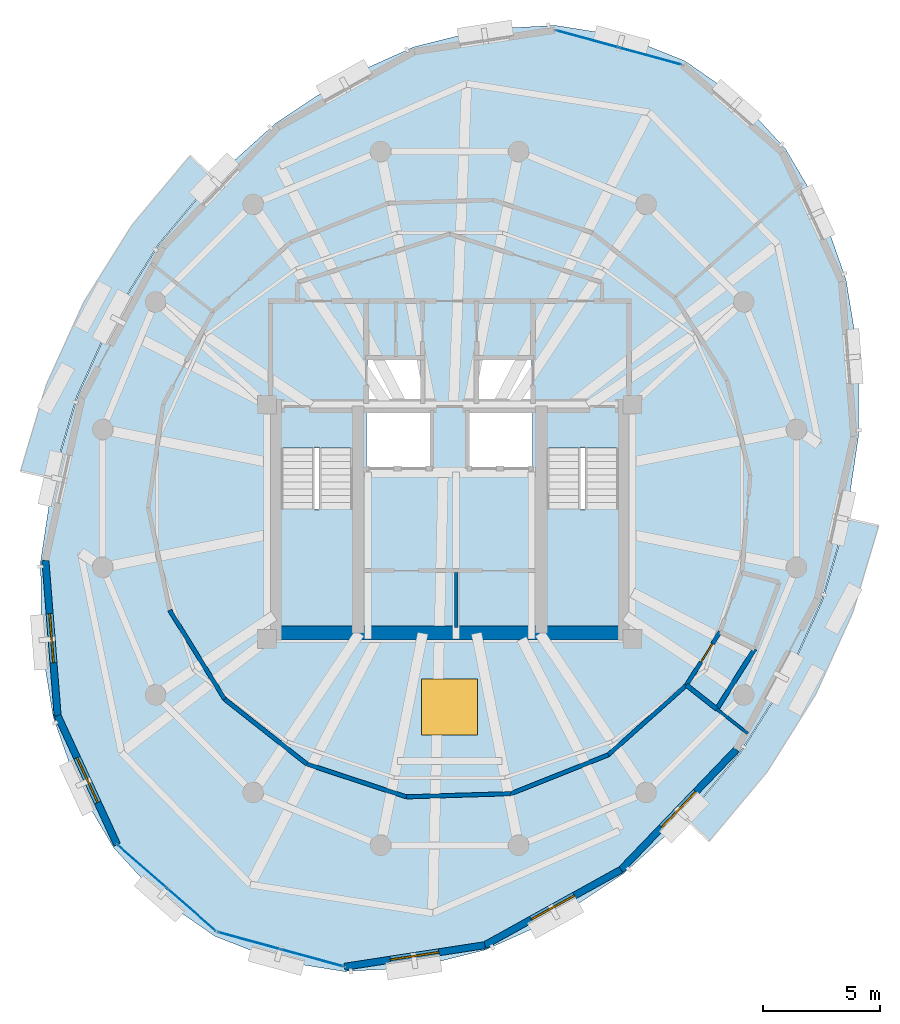
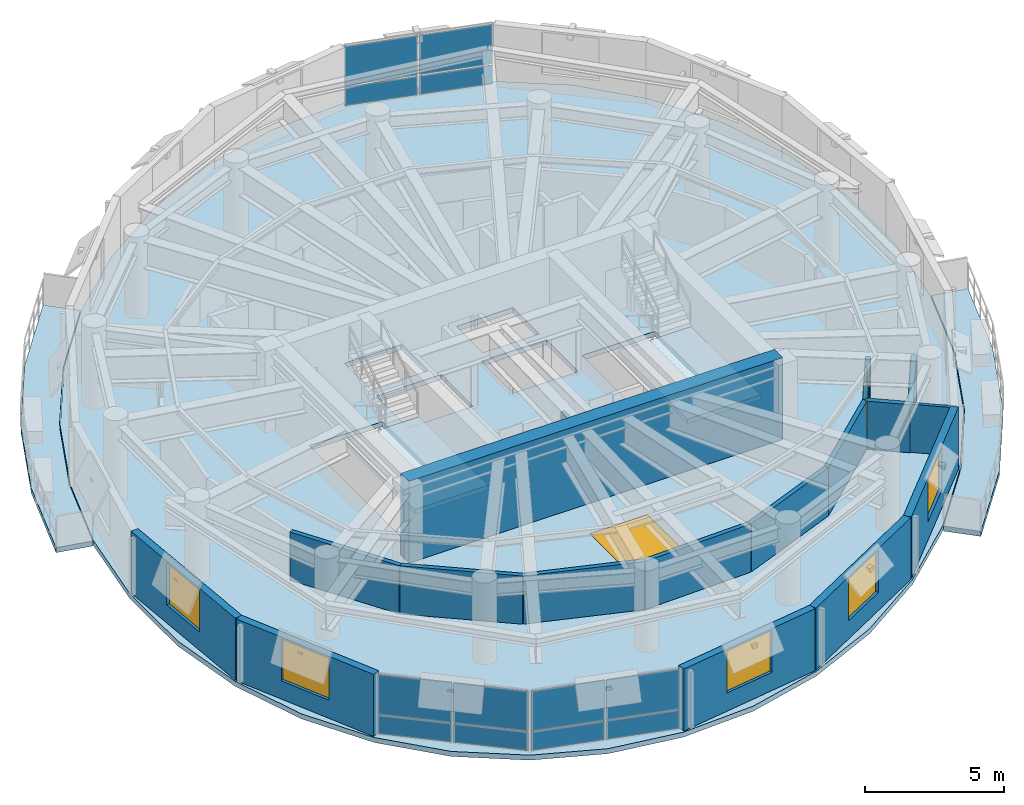
# One storey, part 6 of 11: 17 walls, 12 plates, 6 windows, 5 slabs, 1 door, 7 openings, 5 elements without a shape of their own.
"""IFC4 building model written with IfcOpenShell, lengths in metres."""

from ifc_helpers import new_model, si_unit, direction, frame, frame_2d, origin, origin_2d, place, context, subcontext, project, spatial, polyline, rectangle, outline, extrude, material, layer, layer_set, type_object, element, fill, aggregate, save


model = new_model("IFC4")

# Units and contexts
model_context = context("Model", 3, precision=1e-05, world=origin(), true_north=direction((0.0, 1.0)))
body_context = subcontext(model_context, "Body", "Model", "MODEL_VIEW")
ifc_project = project(units=[si_unit("LENGTHUNIT", "METRE"), si_unit("AREAUNIT", "SQUARE_METRE"), si_unit("VOLUMEUNIT", "CUBIC_METRE"), si_unit("PLANEANGLEUNIT", "RADIAN"), si_unit("MASSUNIT", "GRAM", prefix="KILO"), si_unit("THERMODYNAMICTEMPERATUREUNIT", "KELVIN"), si_unit("POWERUNIT", "WATT")], contexts=[model_context])

# Site, building, storey
site_placement = place(None, origin())
site = spatial("IfcSite", under=ifc_project, at=site_placement, CompositionType="ELEMENT")
building_placement = place(site_placement, origin())
building = spatial("IfcBuilding", under=site, at=building_placement, Name="Ocrelia Relay Tower", CompositionType="ELEMENT")
storey_placement = place(building_placement, frame((0.0, 0.0, 284.39990234375)))
storey = spatial("IfcBuildingStorey", under=building, at=storey_placement, Name="L71", CompositionType="ELEMENT", Elevation=284.39990234375)

# Curtain wall, plates
ifc_material_1 = material(Name="Aluminium and solar-control low-E glass", Category="aluminium")
ifc_layer_1 = layer(ifc_material_1, 0.179931640625, Name="Aluminium and solar-control low-E glass")
ifc_layer_set_1 = layer_set([ifc_layer_1], Name="Aluminium and solar-control low-E glass")
curtain_wall_type = type_object("IfcCurtainWallType", Name="CW-SYS-Z4-EXEC", PredefinedType="NOTDEFINED", material=ifc_layer_set_1)
curtain_wall_1_placement = place(storey_placement, origin())
curtain_wall_1 = element("IfcCurtainWall", 1, at=curtain_wall_1_placement, inside=storey, type_object=curtain_wall_type, Name="L71 Elliptical Tower Curtain Wall Bay 01", PredefinedType="NOTDEFINED")
ifc_material_2 = material(Name="Clear double-glazed low-E glass", Category="glass")
ifc_layer_2 = layer(ifc_material_2, 0.031982421875, Name="Clear double-glazed low-E glass")
ifc_layer_set_2 = layer_set([ifc_layer_2], Name="Clear double-glazed low-E glass")
plate_type = type_object("IfcPlateType", Name="CW-SYS-Z4-EXEC-PNL", PredefinedType="CURTAIN_PANEL", material=ifc_layer_set_2)
plate_1_placement = place(storey_placement, frame((42.5615234375, 44.875732421875, 0.06005859375), z_axis=(0.0, 0.0, 1.0), x_axis=(-0.96456996895, 0.263827168806, 0.0)))
plate_1 = element("IfcPlate", 2, at=plate_1_placement, type_object=plate_type, Name="CW-Z4 panel 1.1", PredefinedType="CURTAIN_PANEL", context=body_context, shape_type="SweptSolid", body=[
    extrude(rectangle(XDim=2.7275390625, YDim=0.031982421875, at=origin_2d()), origin(), (0.0, 0.0, 1.0), 0.81005859375),
])
plate_2_placement = place(storey_placement, frame((42.5615234375, 44.875732421875, 0.93017578125), z_axis=(0.0, 0.0, 1.0), x_axis=(-0.96456996895, 0.263827168806, 0.0)))
plate_2 = element("IfcPlate", 3, at=plate_2_placement, type_object=plate_type, Name="CW-Z4 panel 1.2", PredefinedType="CURTAIN_PANEL", context=body_context, shape_type="SweptSolid", body=[
    extrude(rectangle(XDim=2.7275390625, YDim=0.031982421875, at=origin_2d()), origin(), (0.0, 0.0, 1.0), 1.739990234375),
])
plate_3_placement = place(storey_placement, frame((39.867919921875, 45.612548828125, 0.06005859375), z_axis=(0.0, 0.0, 1.0), x_axis=(-0.96456996895, 0.263827168806, 0.0)))
plate_3 = element("IfcPlate", 4, at=plate_3_placement, type_object=plate_type, Name="CW-Z4 panel 2.1", PredefinedType="CURTAIN_PANEL", context=body_context, shape_type="SweptSolid", body=[
    extrude(rectangle(XDim=2.7275390625, YDim=0.031982421875, at=origin_2d()), origin(), (0.0, 0.0, 1.0), 0.81005859375),
])
plate_4_placement = place(storey_placement, frame((39.867919921875, 45.612548828125, 0.93017578125), z_axis=(0.0, 0.0, 1.0), x_axis=(-0.96456996895, 0.263827168806, 0.0)))
plate_4 = element("IfcPlate", 5, at=plate_4_placement, type_object=plate_type, Name="CW-Z4 panel 2.2", PredefinedType="CURTAIN_PANEL", context=body_context, shape_type="SweptSolid", body=[
    extrude(rectangle(XDim=2.7275390625, YDim=0.031982421875, at=origin_2d()), origin(), (0.0, 0.0, 1.0), 1.739990234375),
])
aggregate(curtain_wall_1, [plate_1, plate_2, plate_3, plate_4])

curtain_wall_2_placement = place(storey_placement, origin())
curtain_wall_2 = element("IfcCurtainWall", 6, at=curtain_wall_2_placement, inside=storey, type_object=curtain_wall_type, Name="L71 Elliptical Tower Curtain Wall Bay 09", PredefinedType="NOTDEFINED")
plate_5_placement = place(storey_placement, frame((20.884033203125, 10.281982421875, 0.06005859375), z_axis=(0.0, 0.0, 1.0), x_axis=(0.752392477075, -0.658715082901, 0.0)))
plate_5 = element("IfcPlate", 7, at=plate_5_placement, type_object=plate_type, Name="CW-Z4 panel 1.1", PredefinedType="CURTAIN_PANEL", context=body_context, shape_type="SweptSolid", body=[
    extrude(rectangle(XDim=2.7275390625, YDim=0.031982421875, at=origin_2d()), origin(), (0.0, 0.0, 1.0), 0.81005859375),
])
plate_6_placement = place(storey_placement, frame((20.884033203125, 10.281982421875, 0.93017578125), z_axis=(0.0, 0.0, 1.0), x_axis=(0.752392477075, -0.658715082901, 0.0)))
plate_6 = element("IfcPlate", 8, at=plate_6_placement, type_object=plate_type, Name="CW-Z4 panel 1.2", PredefinedType="CURTAIN_PANEL", context=body_context, shape_type="SweptSolid", body=[
    extrude(rectangle(XDim=2.7275390625, YDim=0.031982421875, at=origin_2d()), origin(), (0.0, 0.0, 1.0), 1.739990234375),
])
plate_7_placement = place(storey_placement, frame((22.9853515625, 8.4423828125, 0.06005859375), z_axis=(0.0, 0.0, 1.0), x_axis=(0.752392477075, -0.658715082901, 0.0)))
plate_7 = element("IfcPlate", 9, at=plate_7_placement, type_object=plate_type, Name="CW-Z4 panel 2.1", PredefinedType="CURTAIN_PANEL", context=body_context, shape_type="SweptSolid", body=[
    extrude(rectangle(XDim=2.7275390625, YDim=0.031982421875, at=origin_2d()), origin(), (0.0, 0.0, 1.0), 0.81005859375),
])
plate_8_placement = place(storey_placement, frame((22.9853515625, 8.4423828125, 0.93017578125), z_axis=(0.0, 0.0, 1.0), x_axis=(0.752392477075, -0.658715082901, 0.0)))
plate_8 = element("IfcPlate", 10, at=plate_8_placement, type_object=plate_type, Name="CW-Z4 panel 2.2", PredefinedType="CURTAIN_PANEL", context=body_context, shape_type="SweptSolid", body=[
    extrude(rectangle(XDim=2.7275390625, YDim=0.031982421875, at=origin_2d()), origin(), (0.0, 0.0, 1.0), 1.739990234375),
])
aggregate(curtain_wall_2, [plate_5, plate_6, plate_7, plate_8])

curtain_wall_3_placement = place(storey_placement, origin())
curtain_wall_3 = element("IfcCurtainWall", 11, at=curtain_wall_3_placement, inside=storey, type_object=curtain_wall_type, Name="L71 Elliptical Tower Curtain Wall Bay 10", PredefinedType="NOTDEFINED")
plate_9_placement = place(storey_placement, frame((25.4384765625, 7.124267578125, 0.06005859375), z_axis=(0.0, 0.0, 1.0), x_axis=(0.96456996895, -0.263827168806, 0.0)))
plate_9 = element("IfcPlate", 12, at=plate_9_placement, type_object=plate_type, Name="CW-Z4 panel 1.1", PredefinedType="CURTAIN_PANEL", context=body_context, shape_type="SweptSolid", body=[
    extrude(rectangle(XDim=2.7275390625, YDim=0.031982421875, at=origin_2d()), origin(), (0.0, 0.0, 1.0), 0.81005859375),
])
plate_10_placement = place(storey_placement, frame((25.4384765625, 7.124267578125, 0.93017578125), z_axis=(0.0, 0.0, 1.0), x_axis=(0.96456996895, -0.263827168806, 0.0)))
plate_10 = element("IfcPlate", 13, at=plate_10_placement, type_object=plate_type, Name="CW-Z4 panel 1.2", PredefinedType="CURTAIN_PANEL", context=body_context, shape_type="SweptSolid", body=[
    extrude(rectangle(XDim=2.7275390625, YDim=0.031982421875, at=origin_2d()), origin(), (0.0, 0.0, 1.0), 1.739990234375),
])
plate_11_placement = place(storey_placement, frame((28.132080078125, 6.387451171875, 0.06005859375), z_axis=(0.0, 0.0, 1.0), x_axis=(0.96456996895, -0.263827168806, 0.0)))
plate_11 = element("IfcPlate", 14, at=plate_11_placement, type_object=plate_type, Name="CW-Z4 panel 2.1", PredefinedType="CURTAIN_PANEL", context=body_context, shape_type="SweptSolid", body=[
    extrude(rectangle(XDim=2.7275390625, YDim=0.031982421875, at=origin_2d()), origin(), (0.0, 0.0, 1.0), 0.81005859375),
])
plate_12_placement = place(storey_placement, frame((28.132080078125, 6.387451171875, 0.93017578125), z_axis=(0.0, 0.0, 1.0), x_axis=(0.96456996895, -0.263827168806, 0.0)))
plate_12 = element("IfcPlate", 15, at=plate_12_placement, type_object=plate_type, Name="CW-Z4 panel 2.2", PredefinedType="CURTAIN_PANEL", context=body_context, shape_type="SweptSolid", body=[
    extrude(rectangle(XDim=2.7275390625, YDim=0.031982421875, at=origin_2d()), origin(), (0.0, 0.0, 1.0), 1.739990234375),
])
aggregate(curtain_wall_3, [plate_9, plate_10, plate_11, plate_12])

# Slabs
ifc_material_3 = material(Name="Precast concrete C40/50", Category="concrete")
ifc_layer_3 = layer(ifc_material_3, 0.219970703125, Name="Precast concrete C40/50")
ifc_layer_set_3 = layer_set([ifc_layer_3], Name="Precast concrete C40/50")
slab_type_1 = type_object("IfcSlabType", Name="SL-BALC-220", PredefinedType="FLOOR", material=ifc_layer_set_3)
slab_1_placement = place(storey_placement, frame((0.0, 0.0, -0.219970703125)))
element("IfcSlab", 16, at=slab_1_placement, inside=storey, type_object=slab_type_1, Name="L71 Planted Loggia Balcony B1", PredefinedType="FLOOR", context=body_context, shape_type="SweptSolid", body=[
    extrude(outline(polyline([(23.917724609375, 39.657958984375), (22.747802734375, 38.25830078125), (21.577880859375, 36.8583984375), (19.614990234375, 33.729248046875), (18.089111328125, 30.365478515625), (17.5673828125, 28.6171875), (17.0458984375, 26.869140625), (15.68603515625, 27.17236328125), (16.235107421875, 29.012939453125), (16.7841796875, 30.853515625), (18.3876953125, 34.388671875), (20.45068359375, 37.67724609375), (21.682373046875, 39.15087890625), (22.914306640625, 40.624755859375), (23.917724609375, 39.657958984375)])), origin(), (0.0, 0.0, 1.0), 0.219970703125),
])
slab_2_placement = place(storey_placement, frame((0.0, 0.0, -0.219970703125)))
element("IfcSlab", 17, at=slab_2_placement, inside=storey, type_object=slab_type_1, Name="L71 Planted Loggia Balcony B2", PredefinedType="FLOOR", context=body_context, shape_type="SweptSolid", body=[
    extrude(outline(polyline([(44.082275390625, 12.342041015625), (45.252197265625, 13.74169921875), (46.422119140625, 15.1416015625), (48.385009765625, 18.270751953125), (49.910888671875, 21.634521484375), (50.4326171875, 23.3828125), (50.9541015625, 25.130859375), (52.31396484375, 24.82763671875), (51.764892578125, 22.987060546875), (51.2158203125, 21.146484375), (49.6123046875, 17.611328125), (47.54931640625, 14.32275390625), (46.317626953125, 12.84912109375), (45.085693359375, 11.375244140625), (44.082275390625, 12.342041015625)])), origin(), (0.0, 0.0, 1.0), 0.219970703125),
])

# Slab, opening, window
ifc_material_4 = material(Name="Concrete C50/60", Category="concrete")
ifc_layer_4 = layer(ifc_material_4, 0.219970703125, Name="Concrete C50/60")
ifc_layer_set_4 = layer_set([ifc_layer_4], Name="Concrete C50/60")
slab_type_2 = type_object("IfcSlabType", Name="SL-FLR-220", PredefinedType="FLOOR", material=ifc_layer_set_4)
slab_3_placement = place(storey_placement, frame((0.0, 0.0, -0.219970703125)))
slab_3 = element("IfcSlab", 18, at=slab_3_placement, inside=storey, type_object=slab_type_2, Name="L71 Elliptical Tower Floor Slab", PredefinedType="FLOOR", context=body_context, shape_type="SweptSolid", body=[
    extrude(outline(polyline([(44.034423828125, 44.6748046875), (41.388671875, 45.73095703125), (38.518310546875, 46.1875), (35.5107421875, 46.030517578125), (32.457275390625, 45.264892578125), (29.45068359375, 43.9140625), (26.582275390625, 42.018798828125), (23.939453125, 39.636962890625), (21.60205078125, 36.8408203125), (19.6416015625, 33.715087890625), (18.1171875, 30.35498046875), (17.075439453125, 26.862548828125), (16.548095703125, 23.343994140625), (16.55078125, 19.906005859375), (17.083740234375, 16.6533203125), (18.130615234375, 13.6845703125), (19.659912109375, 11.090087890625), (21.624755859375, 8.948486328125), (23.965576171875, 7.3251953125), (26.611328125, 6.26904296875), (29.481689453125, 5.8125), (32.4892578125, 5.969482421875), (35.542724609375, 6.735107421875), (38.54931640625, 8.0859375), (41.417724609375, 9.981201171875), (44.060546875, 12.363037109375), (46.39794921875, 15.1591796875), (48.3583984375, 18.284912109375), (49.8828125, 21.64501953125), (50.924560546875, 25.137451171875), (51.451904296875, 28.656005859375), (51.44921875, 32.093994140625), (50.916259765625, 35.3466796875), (49.869384765625, 38.3154296875), (48.340087890625, 40.909912109375), (46.375244140625, 43.051513671875), (44.034423828125, 44.6748046875)]), holes=[polyline([(26.81005859375, 28.14990234375), (26.81005859375, 20.550048828125), (29.85009765625, 20.550048828125), (29.85009765625, 28.14990234375), (26.81005859375, 28.14990234375)]), polyline([(38.159912109375, 28.14990234375), (38.159912109375, 20.550048828125), (41.199951171875, 20.550048828125), (41.199951171875, 28.14990234375), (38.159912109375, 28.14990234375)]), polyline([(30.4599609375, 27.35009765625), (33.159912109375, 27.35009765625), (33.159912109375, 29.64990234375), (30.4599609375, 29.64990234375), (30.4599609375, 27.35009765625)]), polyline([(34.840087890625, 27.35009765625), (37.5400390625, 27.35009765625), (37.5400390625, 29.64990234375), (34.840087890625, 29.64990234375), (34.840087890625, 27.35009765625)]), polyline([(30.5, 30.10009765625), (32.85009765625, 30.10009765625), (32.85009765625, 32.0), (30.5, 32.0), (30.5, 30.10009765625)]), polyline([(35.14990234375, 30.10009765625), (37.5, 30.10009765625), (37.5, 32.0), (35.14990234375, 32.0), (35.14990234375, 30.10009765625)]), polyline([(32.800048828125, 15.89990234375), (35.199951171875, 15.89990234375), (35.199951171875, 18.300048828125), (32.800048828125, 18.300048828125), (32.800048828125, 15.89990234375)])]), origin(), (0.0, 0.0, 1.0), 0.219970703125),
])
opening_1_placement = place(slab_3_placement, frame((34.0, 17.10009765625, 0.0)))
opening_1 = element("IfcOpeningElement", 19, at=opening_1_placement, cuts=slab_3, Name="Opening WSK-01", PredefinedType="OPENING", context=body_context, shape_type="SweptSolid", body=[
    extrude(rectangle(XDim=2.39990234375, YDim=2.39990234375, at=origin_2d()), frame((0.0, 0.0, -0.010009765625)), (0.0, 0.0, 1.0), 0.239990234375),
])
window_type_1 = type_object("IfcWindowType", Name="WIN-SKY-2400x2400", PartitioningType="SINGLE_PANEL", PredefinedType="SKYLIGHT", material=ifc_material_2)
window_1_placement = place(opening_1_placement, frame((0.0, 0.0, 0.169921875)))
window_1 = element("IfcWindow", 20, at=window_1_placement, inside=storey, type_object=window_type_1, Name="L71 Multi-Zone Interior Atrium Skylight", OverallHeight=2.39990234375, OverallWidth=2.39990234375, PartitioningType="SINGLE_PANEL", PredefinedType="SKYLIGHT", context=body_context, shape_type="SweptSolid", body=[
    extrude(rectangle(XDim=2.39990234375, YDim=2.39990234375, at=origin_2d()), origin(), (0.0, 0.0, 1.0), 0.050048828125),
])
fill(opening_1, window_1)

# Stair, slab
stair_type = type_object("IfcStairType", Name="ST-DL-1420-R180", PredefinedType="HALF_TURN_STAIR", material=ifc_material_4)
stair_1_placement = place(storey_placement, origin())
stair_1 = element("IfcStair", 21, at=stair_1_placement, inside=storey, type_object=stair_type, Name="L71 West Core Exit Stair ST1", PredefinedType="HALF_TURN_STAIR")
ifc_layer_5 = layer(ifc_material_4, 0.199951171875, Name="Concrete C50/60")
ifc_layer_set_5 = layer_set([ifc_layer_5], Name="Concrete C50/60")
slab_type_3 = type_object("IfcSlabType", Name="SL-LANDING-200", PredefinedType="LANDING", material=ifc_layer_set_5)
slab_4_placement = place(storey_placement, frame((0.0, 0.0, 1.60009765625)))
slab_4 = element("IfcSlab", 22, at=slab_4_placement, type_object=slab_type_3, Name="ST1 landing 1", PredefinedType="LANDING", context=body_context, shape_type="SweptSolid", body=[
    extrude(outline(polyline([(26.81005859375, 25.5400390625), (26.81005859375, 20.550048828125), (29.85009765625, 20.550048828125), (29.85009765625, 25.5400390625), (26.81005859375, 25.5400390625)])), origin(), (0.0, 0.0, 1.0), 0.199951171875),
])
aggregate(stair_1, [slab_4])

stair_2_placement = place(storey_placement, origin())
stair_2 = element("IfcStair", 23, at=stair_2_placement, inside=storey, type_object=stair_type, Name="L71 East Core Exit Stair ST2", PredefinedType="HALF_TURN_STAIR")
slab_5_placement = place(storey_placement, frame((0.0, 0.0, 1.60009765625)))
slab_5 = element("IfcSlab", 24, at=slab_5_placement, type_object=slab_type_3, Name="ST2 landing 1", PredefinedType="LANDING", context=body_context, shape_type="SweptSolid", body=[
    extrude(outline(polyline([(38.159912109375, 25.5400390625), (38.159912109375, 20.550048828125), (41.199951171875, 20.550048828125), (41.199951171875, 25.5400390625), (38.159912109375, 25.5400390625)])), origin(), (0.0, 0.0, 1.0), 0.199951171875),
])
aggregate(stair_2, [slab_5])

# Wall
ifc_layer_6 = layer(ifc_material_4, 0.60009765625, Name="Concrete C50/60")
ifc_layer_set_6 = layer_set([ifc_layer_6], Name="Concrete C50/60")
wall_type_1 = type_object("IfcWallType", Name="CW-CORE-600B", PredefinedType="SHEAR", material=ifc_layer_set_6)
wall_1_placement = place(storey_placement, frame((26.221923828125, 20.261962890625, 0.0), z_axis=(0.0, 0.0, 1.0), x_axis=(1.0, 0.0, 0.0)))
element("IfcWall", 25, at=wall_1_placement, inside=storey, type_object=wall_type_1, Name="L71 Core Shear Wall S", PredefinedType="SHEAR", context=body_context, shape_type="SweptSolid", body=[
    extrude(rectangle(XDim=15.566162109375, YDim=0.60009765625, at=frame_2d((7.783203125, 0.0))), origin(), (0.0, 0.0, 1.0), 3.60009765625),
])

# Wall, opening, door
ifc_material_5 = material(Name="Gypsum Fireboard Partition EI60", Category="gypsum")
ifc_layer_7 = layer(ifc_material_5, 0.179931640625, Name="Gypsum Fireboard Partition EI60")
ifc_layer_set_7 = layer_set([ifc_layer_7], Name="Gypsum Fireboard Partition EI60")
wall_type_2 = type_object("IfcWallType", Name="W-CORR-EI60-180", PredefinedType="PARTITIONING", material=ifc_layer_set_7)
wall_2_placement = place(storey_placement, frame((44.10693359375, 18.0322265625, 0.0), z_axis=(0.0, 0.0, 1.0), x_axis=(0.533648130979, 0.845706611244, 0.0)))
wall_2 = element("IfcWall", 26, at=wall_2_placement, inside=storey, type_object=wall_type_2, Name="L71 Staff Toilet Corridor Wall", PredefinedType="PARTITIONING", context=body_context, shape_type="SweptSolid", body=[
    extrude(rectangle(XDim=2.6904296875, YDim=0.179931640625, at=frame_2d((1.34521484375, 0.0))), origin(), (0.0, 0.0, 1.0), 2.1201171875),
])
opening_2_placement = place(wall_2_placement, frame((1.16748046875, 0.0, 0.0)))
opening_2 = element("IfcOpeningElement", 27, at=opening_2_placement, cuts=wall_2, Name="Opening D-WC92", PredefinedType="OPENING", context=body_context, shape_type="SweptSolid", body=[
    extrude(rectangle(XDim=0.919921875, YDim=2.10009765625, at=frame_2d((0.4599609375, 1.050048828125))), frame((0.0, 0.10009765625, 0.0), z_axis=(0.0, -1.0, 0.0), x_axis=(1.0, 0.0, 0.0)), (0.0, 0.0, 1.0), 0.199951171875),
])
ifc_material_6 = material(Name="Laminate washroom door", Category="wood")
door_type = type_object("IfcDoorType", Name="DR-WC-920", OperationType="NOTDEFINED", PredefinedType="DOOR", material=ifc_material_6)
door_placement = place(opening_2_placement, origin())
door = element("IfcDoor", 28, at=door_placement, inside=storey, type_object=door_type, Name="L71 Staff Toilet Door", OperationType="SINGLE_SWING_RIGHT", OverallHeight=2.10009765625, OverallWidth=0.919921875, PredefinedType="DOOR", context=body_context, shape_type="SweptSolid", body=[
    extrude(rectangle(XDim=0.919921875, YDim=2.10009765625, at=frame_2d((0.4599609375, 1.050048828125))), frame((0.0, 0.02490234375, 0.0), z_axis=(0.0, -1.0, 0.0), x_axis=(1.0, 0.0, 0.0)), (0.0, 0.0, 1.0), 0.050048828125),
])
fill(opening_2, door)

# Walls
wall_3_placement = place(storey_placement, frame((22.046142578125, 21.23095703125, 0.0), z_axis=(0.0, 0.0, 1.0), x_axis=(0.526222979586, -0.850346620947, 0.0)))
element("IfcWall", 29, at=wall_3_placement, inside=storey, type_object=wall_type_2, Name="L71 Summit Plenary Hall Corridor Partition 4", PredefinedType="PARTITIONING", context=body_context, shape_type="SweptSolid", body=[
    extrude(rectangle(XDim=4.4697265625, YDim=0.179931640625, at=frame_2d((2.23486328125, 0.0))), origin(), (0.0, 0.0, 1.0), 2.1201171875),
])
wall_4_placement = place(storey_placement, frame((24.398193359375, 17.43017578125, 0.0), z_axis=(0.0, 0.0, 1.0), x_axis=(0.785308997731, -0.61910401233, 0.0)))
element("IfcWall", 30, at=wall_4_placement, inside=storey, type_object=wall_type_2, Name="L71 Summit Plenary Hall Corridor Partition 5", PredefinedType="PARTITIONING", context=body_context, shape_type="SweptSolid", body=[
    extrude(rectangle(XDim=4.469970703125, YDim=0.179931640625, at=frame_2d((2.23486328125, 0.0))), origin(), (0.0, 0.0, 1.0), 2.1201171875),
])
for number, where, z_axis, x_axis, name in (
    (31, (27.908447265625, 14.662841796875, 0.0), (0.0, 0.0, 1.0), (0.94970518159, -0.313145442345, 0.0), "L71 Summit Plenary Hall Corridor Partition 6"),
    (32, (32.1533203125, 13.26318359375, 0.0), (0.0, 0.0, 1.0), (0.999533732573, 0.030533873791, 0.0), "L71 Summit Plenary Hall Corridor Partition 7"),
    (33, (36.620849609375, 13.399658203125, 0.0), (0.0, 0.0, 1.0), (0.928815325545, 0.370542967862, 0.0), "L71 Summit Plenary Hall Corridor Partition 8"),
):
    element("IfcWall", number, at=place(storey_placement, frame(where, z_axis=z_axis, x_axis=x_axis)), inside=storey, type_object=wall_type_2, Name=name, PredefinedType="PARTITIONING", context=body_context, shape_type="SweptSolid", body=[
        extrude(rectangle(XDim=4.4697265625, YDim=0.179931640625, at=frame_2d((2.23486328125, 0.0))), origin(), (0.0, 0.0, 1.0), 2.1201171875),
    ])
wall_5_placement = place(storey_placement, frame((40.7724609375, 15.055908203125, 0.0), z_axis=(0.0, 0.0, 1.0), x_axis=(0.74603650921, 0.665905043475, 0.0)))
element("IfcWall", 34, at=wall_5_placement, inside=storey, type_object=wall_type_2, Name="L71 Summit Plenary Hall Corridor Partition 9", PredefinedType="PARTITIONING", context=body_context, shape_type="SweptSolid", body=[
    extrude(rectangle(XDim=4.469482421875, YDim=0.179931640625, at=frame_2d((2.23486328125, 0.0))), origin(), (0.0, 0.0, 1.0), 2.1201171875),
])

# Wall, opening, window
ifc_material_7 = material(Name="Precast concrete C40/50 with oxide terracotta", Category="masonry")
ifc_layer_8 = layer(ifc_material_7, 0.300048828125, Name="Precast concrete C40/50 with oxide terracotta")
ifc_layer_set_8 = layer_set([ifc_layer_8], Name="Precast concrete C40/50 with oxide terracotta")
wall_type_3 = type_object("IfcWallType", Name="W-EXT-TERR-300", PredefinedType="SOLIDWALL", material=ifc_layer_set_8)
wall_6_placement = place(storey_placement, frame((16.747802734375, 23.35009765625, 0.0), z_axis=(0.0, 0.0, 1.0), x_axis=(0.07853716748, -0.996911186277, 0.0)))
wall_6 = element("IfcWall", 35, at=wall_6_placement, inside=storey, type_object=wall_type_3, Name="L71 Oxide Terracotta Facade Wall 07", PredefinedType="SOLIDWALL", context=body_context, shape_type="SweptSolid", body=[
    extrude(rectangle(XDim=6.64306640625, YDim=0.300048828125, at=frame_2d((3.321533203125, 0.0))), origin(), (0.0, 0.0, 1.0), 2.72998046875),
])
opening_3_placement = place(wall_6_placement, frame((2.27197265625, 0.0, 0.800048828125)))
opening_3 = element("IfcOpeningElement", 36, at=opening_3_placement, cuts=wall_6, Name="Opening W-07", PredefinedType="OPENING", context=body_context, shape_type="SweptSolid", body=[
    extrude(rectangle(XDim=2.10009765625, YDim=1.85009765625, at=frame_2d((1.050048828125, 0.925048828125))), frame((0.0, 0.16015625, 0.0), z_axis=(0.0, -1.0, 0.0), x_axis=(1.0, 0.0, 0.0)), (0.0, 0.0, 1.0), 0.320068359375),
])
window_type_2 = type_object("IfcWindowType", Name="WIN-Z4-2100x2200", PartitioningType="DOUBLE_PANEL_VERTICAL", PredefinedType="WINDOW", material=ifc_material_2)
window_2_placement = place(opening_3_placement, origin())
window_2 = element("IfcWindow", 37, at=window_2_placement, inside=storey, type_object=window_type_2, Name="L71 Facade Module Window 07", OverallHeight=1.85009765625, OverallWidth=2.10009765625, PartitioningType="SINGLE_PANEL", PredefinedType="WINDOW", context=body_context, shape_type="SweptSolid", body=[
    extrude(rectangle(XDim=2.10009765625, YDim=1.85009765625, at=frame_2d((1.050048828125, 0.925048828125))), frame((0.0, 0.030029296875, 0.0), z_axis=(0.0, -1.0, 0.0), x_axis=(1.0, 0.0, 0.0)), (0.0, 0.0, 1.0), 0.06005859375),
])
fill(opening_3, window_2)

wall_7_placement = place(storey_placement, frame((17.26953125, 16.7275390625, 0.0), z_axis=(0.0, 0.0, 1.0), x_axis=(0.418930475169, -0.908018313128, 0.0)))
wall_7 = element("IfcWall", 38, at=wall_7_placement, inside=storey, type_object=wall_type_3, Name="L71 Oxide Terracotta Facade Wall 08", PredefinedType="SOLIDWALL", context=body_context, shape_type="SweptSolid", body=[
    extrude(rectangle(XDim=6.06201171875, YDim=0.300048828125, at=frame_2d((3.031005859375, 0.0))), origin(), (0.0, 0.0, 1.0), 2.72998046875),
])
opening_4_placement = place(wall_7_placement, frame((1.98095703125, 0.0, 0.800048828125)))
opening_4 = element("IfcOpeningElement", 39, at=opening_4_placement, cuts=wall_7, Name="Opening W-07", PredefinedType="OPENING", context=body_context, shape_type="SweptSolid", body=[
    extrude(rectangle(XDim=2.10009765625, YDim=1.85009765625, at=frame_2d((1.050048828125, 0.925048828125))), frame((0.0, 0.16015625, 0.0), z_axis=(0.0, -1.0, 0.0), x_axis=(1.0, 0.0, 0.0)), (0.0, 0.0, 1.0), 0.320068359375),
])
window_3_placement = place(opening_4_placement, origin())
window_3 = element("IfcWindow", 40, at=window_3_placement, inside=storey, type_object=window_type_2, Name="L71 Facade Module Window 08", OverallHeight=1.85009765625, OverallWidth=2.10009765625, PartitioningType="SINGLE_PANEL", PredefinedType="WINDOW", context=body_context, shape_type="SweptSolid", body=[
    extrude(rectangle(XDim=2.10009765625, YDim=1.85009765625, at=frame_2d((1.050048828125, 0.925048828125))), frame((0.0, 0.030029296875, 0.0), z_axis=(0.0, -1.0, 0.0), x_axis=(1.0, 0.0, 0.0)), (0.0, 0.0, 1.0), 0.06005859375),
])
fill(opening_4, window_3)

wall_8_placement = place(storey_placement, frame((29.510498046875, 6.010498046875, 0.0), z_axis=(0.0, 0.0, 1.0), x_axis=(0.988405197886, 0.151839272891, 0.0)))
wall_8 = element("IfcWall", 41, at=wall_8_placement, inside=storey, type_object=wall_type_3, Name="L71 Oxide Terracotta Facade Wall 11", PredefinedType="SOLIDWALL", context=body_context, shape_type="SweptSolid", body=[
    extrude(rectangle(XDim=6.061767578125, YDim=0.300048828125, at=frame_2d((3.03076171875, 0.0))), origin(), (0.0, 0.0, 1.0), 2.72998046875),
])
opening_5_placement = place(wall_8_placement, frame((1.98095703125, 0.0, 0.800048828125)))
opening_5 = element("IfcOpeningElement", 42, at=opening_5_placement, cuts=wall_8, Name="Opening W-07", PredefinedType="OPENING", context=body_context, shape_type="SweptSolid", body=[
    extrude(rectangle(XDim=2.10009765625, YDim=1.85009765625, at=frame_2d((1.050048828125, 0.925048828125))), frame((0.0, 0.16015625, 0.0), z_axis=(0.0, -1.0, 0.0), x_axis=(1.0, 0.0, 0.0)), (0.0, 0.0, 1.0), 0.320068359375),
])
window_4_placement = place(opening_5_placement, origin())
window_4 = element("IfcWindow", 43, at=window_4_placement, inside=storey, type_object=window_type_2, Name="L71 Facade Module Window 11", OverallHeight=1.85009765625, OverallWidth=2.10009765625, PartitioningType="SINGLE_PANEL", PredefinedType="WINDOW", context=body_context, shape_type="SweptSolid", body=[
    extrude(rectangle(XDim=2.10009765625, YDim=1.85009765625, at=frame_2d((1.050048828125, 0.925048828125))), frame((0.0, 0.030029296875, 0.0), z_axis=(0.0, -1.0, 0.0), x_axis=(1.0, 0.0, 0.0)), (0.0, 0.0, 1.0), 0.06005859375),
])
fill(opening_5, window_4)

wall_9_placement = place(storey_placement, frame((35.501953125, 6.930908203125, 0.0), z_axis=(0.0, 0.0, 1.0), x_axis=(0.874659525507, 0.484737779052, 0.0)))
wall_9 = element("IfcWall", 44, at=wall_9_placement, inside=storey, type_object=wall_type_3, Name="L71 Oxide Terracotta Facade Wall 12", PredefinedType="SOLIDWALL", context=body_context, shape_type="SweptSolid", body=[
    extrude(rectangle(XDim=6.643310546875, YDim=0.300048828125, at=frame_2d((3.32177734375, 0.0))), origin(), (0.0, 0.0, 1.0), 2.72998046875),
])
opening_6_placement = place(wall_9_placement, frame((2.27197265625, 0.0, 0.800048828125)))
opening_6 = element("IfcOpeningElement", 45, at=opening_6_placement, cuts=wall_9, Name="Opening W-07", PredefinedType="OPENING", context=body_context, shape_type="SweptSolid", body=[
    extrude(rectangle(XDim=2.10009765625, YDim=1.85009765625, at=frame_2d((1.050048828125, 0.925048828125))), frame((0.0, 0.16015625, 0.0), z_axis=(0.0, -1.0, 0.0), x_axis=(1.0, 0.0, 0.0)), (0.0, 0.0, 1.0), 0.320068359375),
])
window_5_placement = place(opening_6_placement, origin())
window_5 = element("IfcWindow", 46, at=window_5_placement, inside=storey, type_object=window_type_2, Name="L71 Facade Module Window 12", OverallHeight=1.85009765625, OverallWidth=2.10009765625, PartitioningType="SINGLE_PANEL", PredefinedType="WINDOW", context=body_context, shape_type="SweptSolid", body=[
    extrude(rectangle(XDim=2.10009765625, YDim=1.85009765625, at=frame_2d((1.050048828125, 0.925048828125))), frame((0.0, 0.030029296875, 0.0), z_axis=(0.0, -1.0, 0.0), x_axis=(1.0, 0.0, 0.0)), (0.0, 0.0, 1.0), 0.06005859375),
])
fill(opening_6, window_5)

wall_10_placement = place(storey_placement, frame((41.3125, 10.151123046875, 0.0), z_axis=(0.0, 0.0, 1.0), x_axis=(0.692653952564, 0.721270061765, 0.0)))
wall_10 = element("IfcWall", 47, at=wall_10_placement, inside=storey, type_object=wall_type_3, Name="L71 Oxide Terracotta Facade Wall 13", PredefinedType="SOLIDWALL", context=body_context, shape_type="SweptSolid", body=[
    extrude(rectangle(XDim=7.115234375, YDim=0.300048828125, at=frame_2d((3.5576171875, 0.0))), origin(), (0.0, 0.0, 1.0), 2.72998046875),
])
opening_7_placement = place(wall_10_placement, frame((2.508056640625, 0.0, 0.800048828125)))
opening_7 = element("IfcOpeningElement", 48, at=opening_7_placement, cuts=wall_10, Name="Opening W-07", PredefinedType="OPENING", context=body_context, shape_type="SweptSolid", body=[
    extrude(rectangle(XDim=2.10009765625, YDim=1.85009765625, at=frame_2d((1.050048828125, 0.925048828125))), frame((0.0, 0.16015625, 0.0), z_axis=(0.0, -1.0, 0.0), x_axis=(1.0, 0.0, 0.0)), (0.0, 0.0, 1.0), 0.320068359375),
])
window_6_placement = place(opening_7_placement, origin())
window_6 = element("IfcWindow", 49, at=window_6_placement, inside=storey, type_object=window_type_2, Name="L71 Facade Module Window 13", OverallHeight=1.85009765625, OverallWidth=2.10009765625, PartitioningType="SINGLE_PANEL", PredefinedType="WINDOW", context=body_context, shape_type="SweptSolid", body=[
    extrude(rectangle(XDim=2.10009765625, YDim=1.85009765625, at=frame_2d((1.050048828125, 0.925048828125))), frame((0.0, 0.030029296875, 0.0), z_axis=(0.0, -1.0, 0.0), x_axis=(1.0, 0.0, 0.0)), (0.0, 0.0, 1.0), 0.06005859375),
])
fill(opening_7, window_6)

# Walls
ifc_material_8 = material(Name="Acoustic Fireboard Partition EI60", Category="gypsum")
ifc_layer_9 = layer(ifc_material_8, 0.125, Name="Acoustic Fireboard Partition EI60")
ifc_layer_set_9 = layer_set([ifc_layer_9], Name="Acoustic Fireboard Partition EI60")
wall_type_4 = type_object("IfcWallType", Name="W-PART-125", PredefinedType="PARTITIONING", material=ifc_layer_set_9)
wall_11_placement = place(storey_placement, frame((45.40283203125, 17.0107421875, 0.0), z_axis=(0.0, 0.0, 1.0), x_axis=(0.785354716854, -0.619046015023, 0.0)))
element("IfcWall", 50, at=wall_11_placement, inside=storey, type_object=wall_type_4, Name="L71 Executive Boardroom Radial Partition", PredefinedType="PARTITIONING", context=body_context, shape_type="SweptSolid", body=[
    extrude(rectangle(XDim=1.680908203125, YDim=0.125, at=frame_2d((0.84033203125, 0.0))), origin(), (0.0, 0.0, 1.0), 2.1201171875),
])
ifc_layer_10 = layer(ifc_material_8, 0.14990234375, Name="Acoustic Fireboard Partition EI60")
ifc_layer_set_10 = layer_set([ifc_layer_10], Name="Acoustic Fireboard Partition EI60")
wall_type_5 = type_object("IfcWallType", Name="W-PART-150", PredefinedType="PARTITIONING", material=ifc_layer_set_10)
wall_12_placement = place(storey_placement, frame((34.2900390625, 20.5, 0.0), z_axis=(0.0, 0.0, 1.0), x_axis=(0.0, 1.0, 0.0)))
element("IfcWall", 51, at=wall_12_placement, inside=storey, type_object=wall_type_5, Name="L71 Reclaimed Core Dividing Wall", PredefinedType="PARTITIONING", context=body_context, shape_type="SweptSolid", body=[
    extrude(rectangle(XDim=2.340087890625, YDim=0.14990234375, at=frame_2d((1.169921875, 0.0))), origin(), (0.0, 0.0, 1.0), 2.1201171875),
])
ifc_material_9 = material(Name="Moisture-Resistant Fireboard Chase Wall EI60", Category="gypsum")
ifc_layer_11 = layer(ifc_material_9, 0.199951171875, Name="Moisture-Resistant Fireboard Chase Wall EI60")
ifc_layer_set_11 = layer_set([ifc_layer_11], Name="Moisture-Resistant Fireboard Chase Wall EI60")
wall_type_6 = type_object("IfcWallType", Name="W-PLUMB-200", PredefinedType="PLUMBINGWALL", material=ifc_layer_set_11)
wall_13_placement = place(storey_placement, frame((44.10693359375, 18.0322265625, 0.0), z_axis=(0.0, 0.0, 1.0), x_axis=(0.785352162575, -0.619049255503, 0.0)))
element("IfcWall", 52, at=wall_13_placement, inside=storey, type_object=wall_type_6, Name="L71 Staff Toilet Plumbing Radial Wall", PredefinedType="PLUMBINGWALL", context=body_context, shape_type="SweptSolid", body=[
    extrude(rectangle(XDim=1.650146484375, YDim=0.199951171875, at=frame_2d((0.8251953125, 0.0))), origin(), (0.0, 0.0, 1.0), 2.1201171875),
])
wall_14_placement = place(storey_placement, frame((45.40283203125, 17.0107421875, 0.0), z_axis=(0.0, 0.0, 1.0), x_axis=(0.533644952329, 0.845708616992, 0.0)))
element("IfcWall", 53, at=wall_14_placement, inside=storey, type_object=wall_type_6, Name="L71 Staff Toilet Back Plumbing Wall", PredefinedType="PLUMBINGWALL", context=body_context, shape_type="SweptSolid", body=[
    extrude(rectangle(XDim=3.035400390625, YDim=0.199951171875, at=frame_2d((1.517578125, 0.0))), origin(), (0.0, 0.0, 1.0), 2.1201171875),
])

save(model, "model.ifc")
